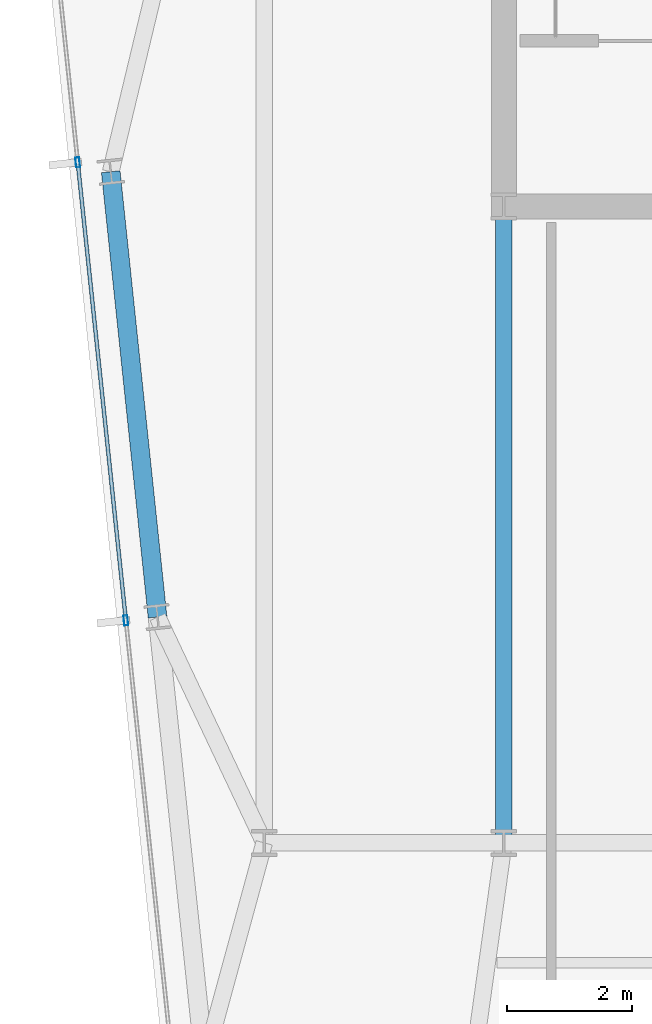
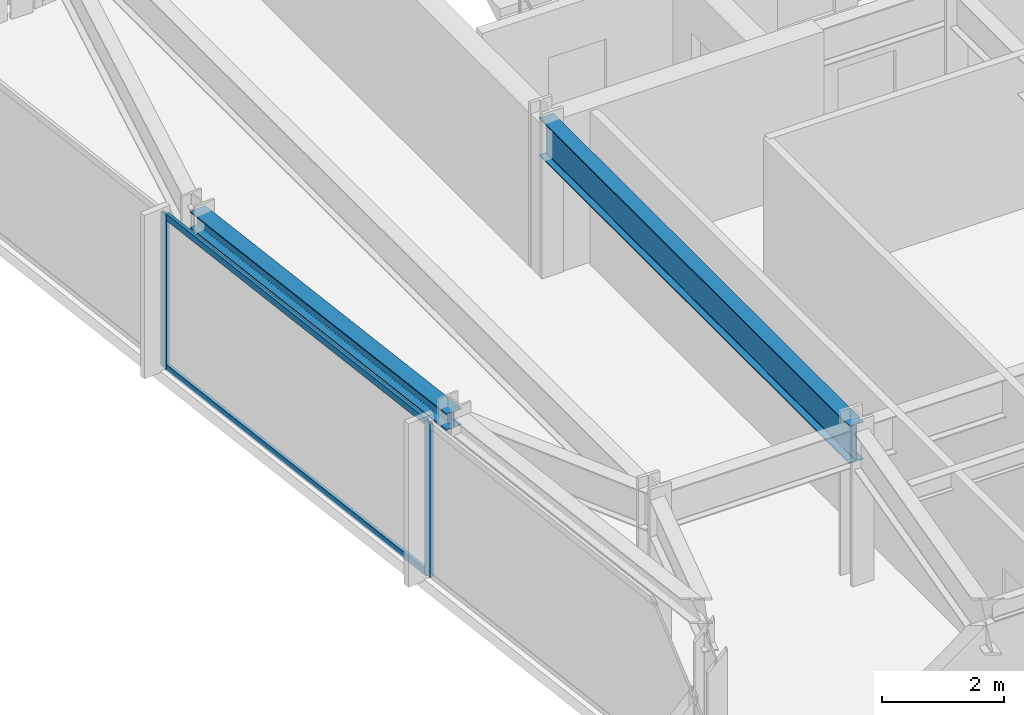
# One storey, part 10 of 32: 4 members, 2 beams, 1 element without a shape of its own.
"""IFC4 building model written with IfcOpenShell, lengths in metres."""

from ifc_helpers import new_model, si_unit, direction, frame, origin, origin_2d, place, context, subcontext, project, spatial, hollow_rectangle, i_section, extrude, material, material_profile, profile_set, type_object, element, aggregate, save


model = new_model("IFC4")

# Units and contexts
model_context = context("Model", 3, precision=1e-05, world=origin(), true_north=direction((0.0, 1.0)))
body_context = subcontext(model_context, "Body", "Model", "MODEL_VIEW")
ifc_project = project(units=[si_unit("LENGTHUNIT", "METRE"), si_unit("AREAUNIT", "SQUARE_METRE"), si_unit("VOLUMEUNIT", "CUBIC_METRE"), si_unit("PLANEANGLEUNIT", "RADIAN"), si_unit("MASSUNIT", "GRAM", prefix="KILO")], contexts=[model_context])

# Site, building, storey
site_placement = place(None, origin())
site = spatial("IfcSite", under=ifc_project, at=site_placement, CompositionType="ELEMENT")
building_placement = place(site_placement, origin())
building = spatial("IfcBuilding", under=site, at=building_placement, Name="Yelkora Congress Tower", CompositionType="ELEMENT")
storey_placement = place(building_placement, frame((0.0, 0.0, 217.699951171875)))
storey = spatial("IfcBuildingStorey", under=building, at=storey_placement, Name="L60", CompositionType="ELEMENT", Elevation=217.699951171875)

# Beams
ifc_material_1 = material(Name="Steel S355J2", Category="steel")
ifc_material_profile_1 = material_profile(ifc_material_1, i_section(OverallWidth=0.26708984375, OverallDepth=0.761962890625, WebThickness=0.014404296875, FlangeThickness=0.021484375, FilletRadius=0.01708984375, at=origin_2d()), Name="IPE 750x173")
ifc_profile_set_1 = profile_set([ifc_material_profile_1], Name="Steel S355J2")
beam_type_1 = type_object("IfcBeamType", Name="BM-GIRD-IPE750", PredefinedType="BEAM", material=ifc_profile_set_1)
beam_1_placement = place(storey_placement, frame((23.0400390625, 25.199951171875, 2.698974609375), z_axis=(0.0, 1.0, 0.0), x_axis=(-1.0, 0.0, 0.0)))
element("IfcBeam", 1, at=beam_1_placement, inside=storey, type_object=beam_type_1, Name="L60 Core Tie Girder MC-D1", PredefinedType="BEAM", context=body_context, shape_type="SweptSolid", body=[
    extrude(i_section(OverallWidth=0.26708984375, OverallDepth=0.761962890625, WebThickness=0.014404296875, FlangeThickness=0.021484375, FilletRadius=0.01708984375, at=origin_2d()), origin(), (0.0, 0.0, 1.0), 10.199951171875),
])
ifc_material_profile_2 = material_profile(ifc_material_1, i_section(OverallWidth=0.300048828125, OverallDepth=0.340087890625, WebThickness=0.011962890625, FlangeThickness=0.021484375, FilletRadius=0.027099609375, at=origin_2d()), Name="HEB 340")
ifc_profile_set_2 = profile_set([ifc_material_profile_2], Name="Steel S355J2")
beam_type_2 = type_object("IfcBeamType", Name="BM-SPAN-HEB340", PredefinedType="SPANDREL", material=ifc_profile_set_2)
beam_2_placement = place(storey_placement, frame((16.7412109375, 35.95458984375, 2.91015625), z_axis=(0.104528914631, -0.994521847928, 0.0), x_axis=(0.994521847928, 0.104528914631, 0.0)))
element("IfcBeam", 2, at=beam_2_placement, inside=storey, type_object=beam_type_2, Name="L60 Perimeter Beam 17", PredefinedType="SPANDREL", context=body_context, shape_type="SweptSolid", body=[
    extrude(i_section(OverallWidth=0.300048828125, OverallDepth=0.340087890625, WebThickness=0.011962890625, FlangeThickness=0.021484375, FilletRadius=0.027099609375, at=origin_2d()), origin(), (0.0, 0.0, 1.0), 7.175048828125),
])

# Curtain wall, members
ifc_material_2 = material(Name="Anodised aluminium and insulated glass", Category="aluminium")
curtain_wall_type = type_object("IfcCurtainWallType", Name="CW-SYS-B4", PredefinedType="NOTDEFINED", material=ifc_material_2)
curtain_wall_placement = place(storey_placement, origin())
curtain_wall = element("IfcCurtainWall", 3, at=curtain_wall_placement, inside=storey, type_object=curtain_wall_type, Name="L60 Unitised Curtain Wall 5", PredefinedType="NOTDEFINED")
ifc_material_3 = material(Name="Anodised aluminium 6063-T6", Category="aluminium")
ifc_material_profile_3 = material_profile(ifc_material_3, hollow_rectangle(XDim=0.06494140625, YDim=0.159912109375, WallThickness=0.00390625, at=origin_2d()), Name="ALU 65x160x4")
ifc_profile_set_3 = profile_set([ifc_material_profile_3], Name="Anodised aluminium 6063-T6")
member_type_1 = type_object("IfcMemberType", Name="MEM-ML-B4", PredefinedType="MULLION", material=ifc_profile_set_3)
member_1_placement = place(storey_placement, frame((16.98388671875, 28.765625, 0.0), z_axis=(0.0, 0.0, 1.0), x_axis=(-0.994522145958, -0.104526079034, 0.0)))
member_1 = element("IfcMember", 4, at=member_1_placement, type_object=member_type_1, Name="CW-B4 mullion 3", PredefinedType="MULLION", context=body_context, shape_type="SweptSolid", body=[
    extrude(hollow_rectangle(XDim=0.06494140625, YDim=0.159912109375, WallThickness=0.00390625, at=origin_2d()), origin(), (0.0, 0.0, 1.0), 3.080078125),
])
member_2_placement = place(storey_placement, frame((16.21240234375, 36.105224609375, 0.0), z_axis=(0.0, 0.0, 1.0), x_axis=(-0.994522145958, -0.104526079034, 0.0)))
member_2 = element("IfcMember", 5, at=member_2_placement, type_object=member_type_1, Name="CW-B4 mullion 4", PredefinedType="MULLION", context=body_context, shape_type="SweptSolid", body=[
    extrude(hollow_rectangle(XDim=0.06494140625, YDim=0.159912109375, WallThickness=0.00390625, at=origin_2d()), origin(), (0.0, 0.0, 1.0), 3.080078125),
])
ifc_material_profile_4 = material_profile(ifc_material_3, hollow_rectangle(XDim=0.06005859375, YDim=0.1298828125, WallThickness=0.00390625, at=origin_2d()), Name="ALU 60x130x4")
ifc_profile_set_4 = profile_set([ifc_material_profile_4], Name="Anodised aluminium 6063-T6")
member_type_2 = type_object("IfcMemberType", Name="MEM-TR-B4", PredefinedType="USERDEFINED", material=ifc_profile_set_4)
member_3_placement = place(storey_placement, frame((16.98046875, 28.7978515625, 0.030029296875), z_axis=(-0.104531896307, 0.994521534535, 0.0), x_axis=(-0.994521534535, -0.104531896307, 0.0)))
member_3 = element("IfcMember", 6, at=member_3_placement, type_object=member_type_2, Name="CW-B4 transom 3.1", ObjectType="TRANSOM", PredefinedType="USERDEFINED", context=body_context, shape_type="SweptSolid", body=[
    extrude(hollow_rectangle(XDim=0.06005859375, YDim=0.1298828125, WallThickness=0.00390625, at=origin_2d()), origin(), (0.0, 0.0, 1.0), 7.31494140625),
])
member_4_placement = place(storey_placement, frame((16.98046875, 28.7978515625, 3.050048828125), z_axis=(-0.104531896307, 0.994521534535, 0.0), x_axis=(-0.994521534535, -0.104531896307, 0.0)))
member_4 = element("IfcMember", 7, at=member_4_placement, type_object=member_type_2, Name="CW-B4 transom 3.2", ObjectType="TRANSOM", PredefinedType="USERDEFINED", context=body_context, shape_type="SweptSolid", body=[
    extrude(hollow_rectangle(XDim=0.06005859375, YDim=0.1298828125, WallThickness=0.00390625, at=origin_2d()), origin(), (0.0, 0.0, 1.0), 7.31494140625),
])
aggregate(curtain_wall, [member_1, member_2, member_3, member_4])

save(model, "model.ifc")
